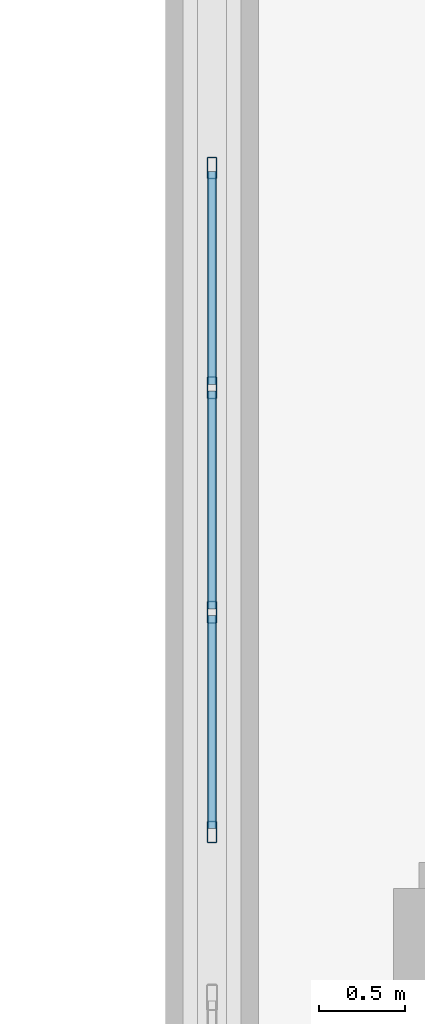
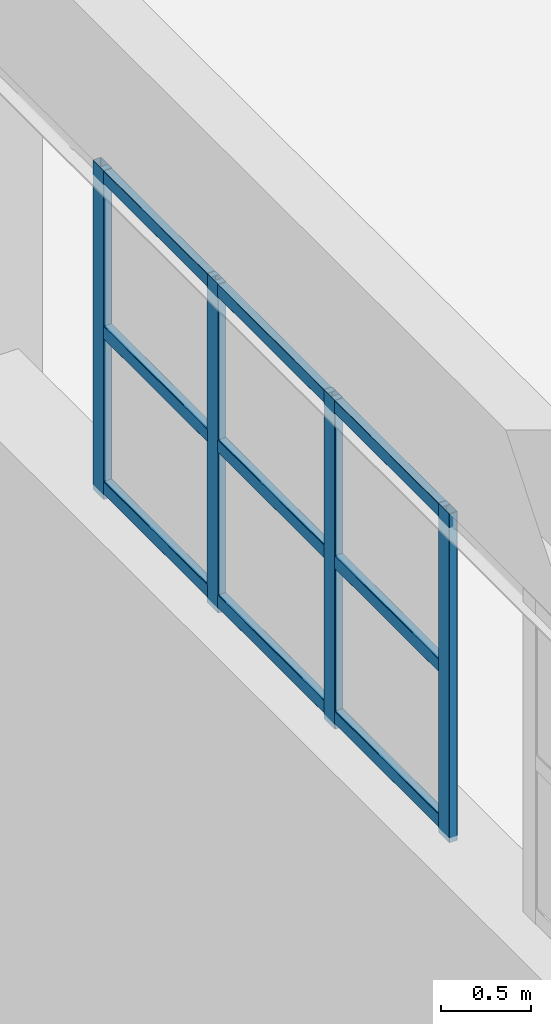
# One storey, part 40 of 97: 13 members, 1 element without a shape of its own.
"""IFC4 building model written with IfcOpenShell, lengths in metres."""

from ifc_helpers import new_model, si_unit, derived_unit, direction, frame, origin, origin_2d, place, context, subcontext, project, spatial, hollow_rectangle, extrude, material, layer, layer_set, material_profile, profile_set, type_object, element, aggregate, save


model = new_model("IFC4")

# Units and contexts
model_context = context("Model", 3, precision=1e-05, world=origin(), true_north=direction((0.0, 1.0)))
body_context = subcontext(model_context, "Body", "Model", "MODEL_VIEW")
ifc_project = project(units=[si_unit("LENGTHUNIT", "METRE"), si_unit("AREAUNIT", "SQUARE_METRE"), si_unit("VOLUMEUNIT", "CUBIC_METRE"), si_unit("PLANEANGLEUNIT", "RADIAN"), si_unit("MASSUNIT", "GRAM", prefix="KILO"), derived_unit("THERMALTRANSMITTANCEUNIT", [(si_unit("POWERUNIT", "WATT"), 1), (si_unit("LENGTHUNIT", "METRE"), -2), (si_unit("THERMODYNAMICTEMPERATUREUNIT", "KELVIN"), -1)])], contexts=[model_context])

# Site, building, storey
site_placement = place(None, origin())
site = spatial("IfcSite", under=ifc_project, at=site_placement, CompositionType="ELEMENT")
building_placement = place(site_placement, origin())
building = spatial("IfcBuilding", under=site, at=building_placement, Name="Almenara Railside Exhibition Hall", CompositionType="ELEMENT")
storey_placement = place(building_placement, frame((0.0, 0.0, 10.800048828125)))
storey = spatial("IfcBuildingStorey", under=building, at=storey_placement, Name="L02", CompositionType="ELEMENT", Elevation=10.800048828125)

# Curtain wall, members
ifc_material_1 = material(Name="Bronze-anodised aluminium and low-E double glazing", Category="aluminium")
ifc_layer = layer(ifc_material_1, 0.179931640625, Name="Bronze-anodised aluminium and low-E double glazing")
ifc_layer_set = layer_set([ifc_layer], Name="Bronze-anodised aluminium and low-E double glazing")
curtain_wall_type = type_object("IfcCurtainWallType", Name="West Hall Clerestory Curtain Wall 3900x2200", PredefinedType="NOTDEFINED", material=ifc_layer_set)
curtain_wall_placement = place(storey_placement, origin())
curtain_wall = element("IfcCurtainWall", 1, at=curtain_wall_placement, inside=storey, type_object=curtain_wall_type, Name="Curtain wall CW-CL2-014", PredefinedType="NOTDEFINED")
ifc_material_2 = material(Name="Bronze-anodised aluminium", Category="aluminium")
ifc_material_profile_1 = material_profile(ifc_material_2, hollow_rectangle(XDim=0.054931640625, YDim=0.125, WallThickness=0.0029296875, InnerFilletRadius=0.0029296875, OuterFilletRadius=0.006103515625, at=origin_2d()), Name="ALU-MUL 55x125x3")
ifc_profile_set_1 = profile_set([ifc_material_profile_1], Name="Bronze-anodised aluminium")
member_type_1 = type_object("IfcMemberType", Name="Curtain Wall Mullion 55x125x3", PredefinedType="MULLION", material=ifc_profile_set_1)
member_1_placement = place(storey_placement, frame((12.0, 90.327392578125, 4.56494140625), z_axis=(0.0, 0.0, 1.0), x_axis=(-1.0, 0.0, 0.0)))
member_1 = element("IfcMember", 2, at=member_1_placement, type_object=member_type_1, Name="CW-CL2-014 mullion 1", PredefinedType="MULLION", context=body_context, shape_type="SweptSolid", body=[
    extrude(hollow_rectangle(XDim=0.054931640625, YDim=0.125, WallThickness=0.0029296875, InnerFilletRadius=0.0029296875, OuterFilletRadius=0.006103515625, at=origin_2d()), origin(), (0.0, 0.0, 1.0), 2.235107421875),
])
member_2_placement = place(storey_placement, frame((12.0, 91.60009765625, 4.56494140625), z_axis=(0.0, 0.0, 1.0), x_axis=(-1.0, 0.0, 0.0)))
member_2 = element("IfcMember", 3, at=member_2_placement, type_object=member_type_1, Name="CW-CL2-014 mullion 2", PredefinedType="MULLION", context=body_context, shape_type="SweptSolid", body=[
    extrude(hollow_rectangle(XDim=0.054931640625, YDim=0.125, WallThickness=0.0029296875, InnerFilletRadius=0.0029296875, OuterFilletRadius=0.006103515625, at=origin_2d()), origin(), (0.0, 0.0, 1.0), 2.235107421875),
])
member_3_placement = place(storey_placement, frame((12.0, 92.89990234375, 4.56494140625), z_axis=(0.0, 0.0, 1.0), x_axis=(-1.0, 0.0, 0.0)))
member_3 = element("IfcMember", 4, at=member_3_placement, type_object=member_type_1, Name="CW-CL2-014 mullion 3", PredefinedType="MULLION", context=body_context, shape_type="SweptSolid", body=[
    extrude(hollow_rectangle(XDim=0.054931640625, YDim=0.125, WallThickness=0.0029296875, InnerFilletRadius=0.0029296875, OuterFilletRadius=0.006103515625, at=origin_2d()), origin(), (0.0, 0.0, 1.0), 2.235107421875),
])
member_4_placement = place(storey_placement, frame((12.0, 94.172607421875, 4.56494140625), z_axis=(0.0, 0.0, 1.0), x_axis=(-1.0, 0.0, 0.0)))
member_4 = element("IfcMember", 5, at=member_4_placement, type_object=member_type_1, Name="CW-CL2-014 mullion 4", PredefinedType="MULLION", context=body_context, shape_type="SweptSolid", body=[
    extrude(hollow_rectangle(XDim=0.054931640625, YDim=0.125, WallThickness=0.0029296875, InnerFilletRadius=0.0029296875, OuterFilletRadius=0.006103515625, at=origin_2d()), origin(), (0.0, 0.0, 1.0), 2.235107421875),
])
ifc_material_profile_2 = material_profile(ifc_material_2, hollow_rectangle(XDim=0.054931640625, YDim=0.090087890625, WallThickness=0.0029296875, InnerFilletRadius=0.0029296875, OuterFilletRadius=0.006103515625, at=origin_2d()), Name="ALU-TRN 55x90x3")
ifc_profile_set_2 = profile_set([ifc_material_profile_2], Name="Bronze-anodised aluminium")
member_type_2 = type_object("IfcMemberType", Name="Curtain Wall Transom 55x90x3", PredefinedType="USERDEFINED", material=ifc_profile_set_2)
member_5_placement = place(storey_placement, frame((12.0, 90.346923828125, 4.64501953125), z_axis=(0.0, 1.0, 0.0), x_axis=(-1.0, 0.0, 0.0)))
member_5 = element("IfcMember", 6, at=member_5_placement, type_object=member_type_2, Name="CW-CL2-014 transom 1.1", ObjectType="TRANSOM", PredefinedType="USERDEFINED", context=body_context, shape_type="SweptSolid", body=[
    extrude(hollow_rectangle(XDim=0.054931640625, YDim=0.090087890625, WallThickness=0.0029296875, InnerFilletRadius=0.0029296875, OuterFilletRadius=0.006103515625, at=origin_2d()), origin(), (0.0, 0.0, 1.0), 1.233642578125),
])
member_6_placement = place(storey_placement, frame((12.0, 90.346923828125, 5.699951171875), z_axis=(0.0, 1.0, 0.0), x_axis=(-1.0, 0.0, 0.0)))
member_6 = element("IfcMember", 7, at=member_6_placement, type_object=member_type_2, Name="CW-CL2-014 transom 1.2", ObjectType="TRANSOM", PredefinedType="USERDEFINED", context=body_context, shape_type="SweptSolid", body=[
    extrude(hollow_rectangle(XDim=0.054931640625, YDim=0.090087890625, WallThickness=0.0029296875, InnerFilletRadius=0.0029296875, OuterFilletRadius=0.006103515625, at=origin_2d()), origin(), (0.0, 0.0, 1.0), 1.233642578125),
])
member_7_placement = place(storey_placement, frame((12.0, 90.346923828125, 6.7548828125), z_axis=(0.0, 1.0, 0.0), x_axis=(-1.0, 0.0, 0.0)))
member_7 = element("IfcMember", 8, at=member_7_placement, type_object=member_type_2, Name="CW-CL2-014 transom 1.3", ObjectType="TRANSOM", PredefinedType="USERDEFINED", context=body_context, shape_type="SweptSolid", body=[
    extrude(hollow_rectangle(XDim=0.054931640625, YDim=0.090087890625, WallThickness=0.0029296875, InnerFilletRadius=0.0029296875, OuterFilletRadius=0.006103515625, at=origin_2d()), origin(), (0.0, 0.0, 1.0), 1.233642578125),
])
member_8_placement = place(storey_placement, frame((12.0, 91.619384765625, 4.64501953125), z_axis=(0.0, 1.0, 0.0), x_axis=(-1.0, 0.0, 0.0)))
member_8 = element("IfcMember", 9, at=member_8_placement, type_object=member_type_2, Name="CW-CL2-014 transom 2.1", ObjectType="TRANSOM", PredefinedType="USERDEFINED", context=body_context, shape_type="SweptSolid", body=[
    extrude(hollow_rectangle(XDim=0.054931640625, YDim=0.090087890625, WallThickness=0.0029296875, InnerFilletRadius=0.0029296875, OuterFilletRadius=0.006103515625, at=origin_2d()), origin(), (0.0, 0.0, 1.0), 1.26123046875),
])
member_9_placement = place(storey_placement, frame((12.0, 91.619384765625, 5.699951171875), z_axis=(0.0, 1.0, 0.0), x_axis=(-1.0, 0.0, 0.0)))
member_9 = element("IfcMember", 10, at=member_9_placement, type_object=member_type_2, Name="CW-CL2-014 transom 2.2", ObjectType="TRANSOM", PredefinedType="USERDEFINED", context=body_context, shape_type="SweptSolid", body=[
    extrude(hollow_rectangle(XDim=0.054931640625, YDim=0.090087890625, WallThickness=0.0029296875, InnerFilletRadius=0.0029296875, OuterFilletRadius=0.006103515625, at=origin_2d()), origin(), (0.0, 0.0, 1.0), 1.26123046875),
])
member_10_placement = place(storey_placement, frame((12.0, 91.619384765625, 6.7548828125), z_axis=(0.0, 1.0, 0.0), x_axis=(-1.0, 0.0, 0.0)))
member_10 = element("IfcMember", 11, at=member_10_placement, type_object=member_type_2, Name="CW-CL2-014 transom 2.3", ObjectType="TRANSOM", PredefinedType="USERDEFINED", context=body_context, shape_type="SweptSolid", body=[
    extrude(hollow_rectangle(XDim=0.054931640625, YDim=0.090087890625, WallThickness=0.0029296875, InnerFilletRadius=0.0029296875, OuterFilletRadius=0.006103515625, at=origin_2d()), origin(), (0.0, 0.0, 1.0), 1.26123046875),
])
member_11_placement = place(storey_placement, frame((12.0, 92.91943359375, 4.64501953125), z_axis=(0.0, 1.0, 0.0), x_axis=(-1.0, 0.0, 0.0)))
member_11 = element("IfcMember", 12, at=member_11_placement, type_object=member_type_2, Name="CW-CL2-014 transom 3.1", ObjectType="TRANSOM", PredefinedType="USERDEFINED", context=body_context, shape_type="SweptSolid", body=[
    extrude(hollow_rectangle(XDim=0.054931640625, YDim=0.090087890625, WallThickness=0.0029296875, InnerFilletRadius=0.0029296875, OuterFilletRadius=0.006103515625, at=origin_2d()), origin(), (0.0, 0.0, 1.0), 1.233642578125),
])
member_12_placement = place(storey_placement, frame((12.0, 92.91943359375, 5.699951171875), z_axis=(0.0, 1.0, 0.0), x_axis=(-1.0, 0.0, 0.0)))
member_12 = element("IfcMember", 13, at=member_12_placement, type_object=member_type_2, Name="CW-CL2-014 transom 3.2", ObjectType="TRANSOM", PredefinedType="USERDEFINED", context=body_context, shape_type="SweptSolid", body=[
    extrude(hollow_rectangle(XDim=0.054931640625, YDim=0.090087890625, WallThickness=0.0029296875, InnerFilletRadius=0.0029296875, OuterFilletRadius=0.006103515625, at=origin_2d()), origin(), (0.0, 0.0, 1.0), 1.233642578125),
])
member_13_placement = place(storey_placement, frame((12.0, 92.91943359375, 6.7548828125), z_axis=(0.0, 1.0, 0.0), x_axis=(-1.0, 0.0, 0.0)))
member_13 = element("IfcMember", 14, at=member_13_placement, type_object=member_type_2, Name="CW-CL2-014 transom 3.3", ObjectType="TRANSOM", PredefinedType="USERDEFINED", context=body_context, shape_type="SweptSolid", body=[
    extrude(hollow_rectangle(XDim=0.054931640625, YDim=0.090087890625, WallThickness=0.0029296875, InnerFilletRadius=0.0029296875, OuterFilletRadius=0.006103515625, at=origin_2d()), origin(), (0.0, 0.0, 1.0), 1.233642578125),
])
aggregate(curtain_wall, [member_1, member_2, member_3, member_4, member_5, member_6, member_7, member_8, member_9, member_10, member_11, member_12, member_13])

save(model, "model.ifc")
